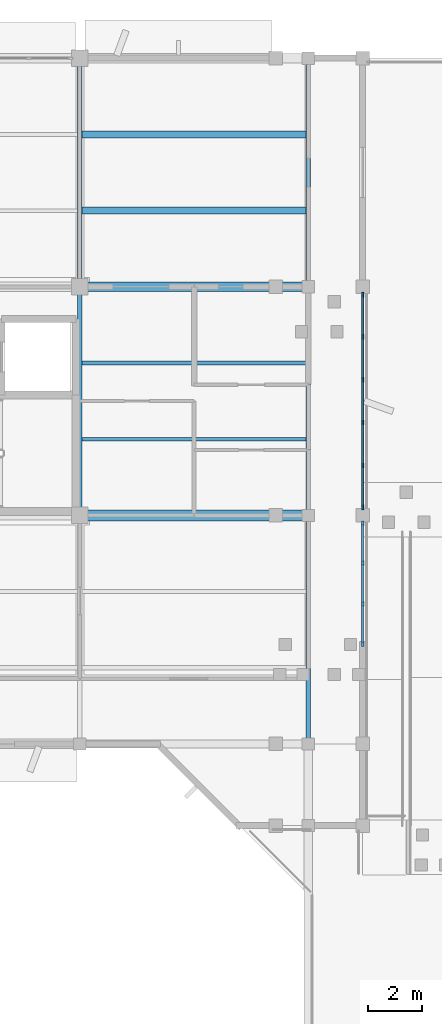
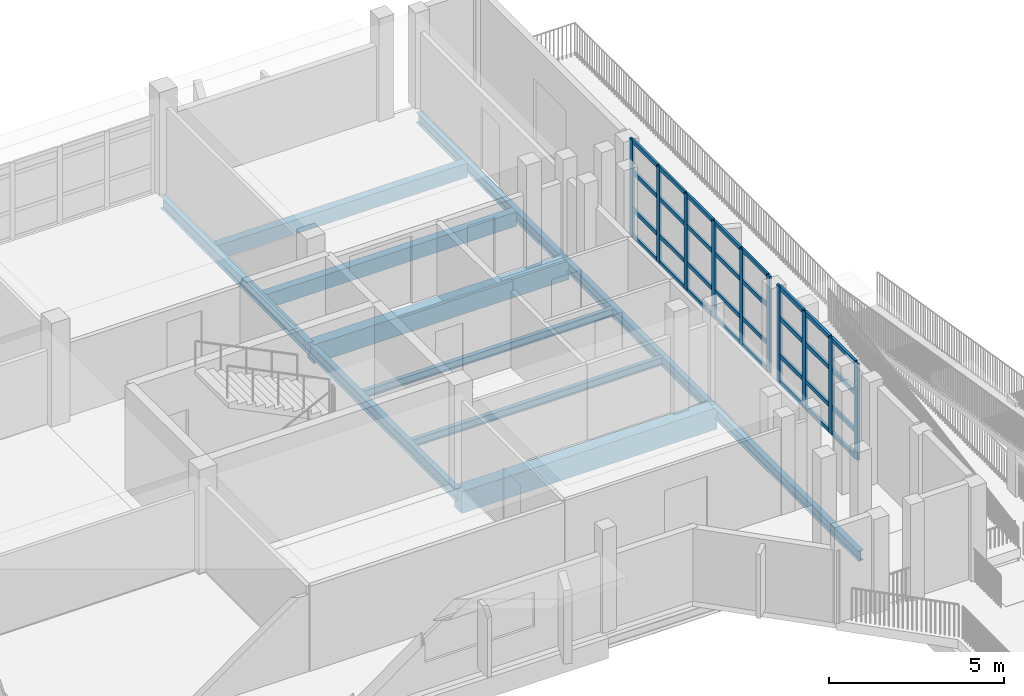
# One storey, part 14 of 42: 42 members, 11 beams, 2 elements without a shape of their own.
"""IFC4 building model written with IfcOpenShell, lengths in metres."""

import ifcopenshell
import ifcopenshell.guid

model = None  # the IFC model being written
_history = None  # IfcOwnerHistory: only IFC2X3 demands one
_inside = {}  # id of a spatial element -> (the spatial element, [elements in it])
_under = {}  # id of a project, library or spatial element -> (it, [spatial elements below it])
_declared = {}  # id of a project -> (the project, [libraries it declares])
_typed = {}  # id of a type object -> (the type object, [elements of that type])
_made_of = {}  # id of a material, layer set ... -> (it, [elements and type objects made of it])


def new_model(schema):
    """Start an empty IFC model of exactly this schema.

    Asked for "IFC4X3", IfcOpenShell would pick the latest addendum, in which some entities
    have other attributes; the version numbers below select the first issue.
    IFC2X3 requires an IfcOwnerHistory on every rooted entity: one is made here for all.
    """
    global model, _history
    if schema == "IFC4X3":
        model = ifcopenshell.file(schema_version=(4, 3, 0, 0))
    else:
        model = ifcopenshell.file(schema=schema)
    _inside.clear()
    _under.clear()
    _declared.clear()
    _typed.clear()
    _made_of.clear()
    _history = None
    if model.schema == "IFC2X3":
        org = make("IfcOrganization", Name="unknown")
        user = make(
            "IfcPersonAndOrganization",
            ThePerson=make("IfcPerson", FamilyName="unknown"),
            TheOrganization=org,
        )
        app = make(
            "IfcApplication",
            ApplicationDeveloper=org,
            Version="unknown",
            ApplicationFullName="unknown",
            ApplicationIdentifier="unknown",
        )
        _history = make(
            "IfcOwnerHistory",
            OwningUser=user,
            OwningApplication=app,
            ChangeAction="ADDED",
            CreationDate=0,
        )
    return model


def make(cls, **values):
    """One entity of the class cls with the attributes given. An attribute that is None is left unset."""
    return model.create_entity(
        cls, **{name: value for name, value in values.items() if value is not None}
    )


def rooted(cls, **values):
    """An entity with a GlobalId (a new one), such as an element, a storey or a relation."""
    return make(cls, GlobalId=ifcopenshell.guid.new(), OwnerHistory=_history, **values)


def si_unit(unit_type, name, prefix=None):
    """IfcSIUnit, for example si_unit("LENGTHUNIT", "METRE", prefix="MILLI")."""
    return make("IfcSIUnit", UnitType=unit_type, Prefix=prefix, Name=name)


def assignment(units):
    """IfcUnitAssignment: the units of a project."""
    return None if units is None else make("IfcUnitAssignment", Units=units)


def point(xyz):
    """IfcCartesianPoint."""
    return None if xyz is None else make("IfcCartesianPoint", Coordinates=xyz)


def direction(xyz):
    """IfcDirection."""
    return None if xyz is None else make("IfcDirection", DirectionRatios=xyz)


def frame(location, z_axis=None, x_axis=None):
    """IfcAxis2Placement3D, a coordinate frame: its origin and axes. An axis left out is left unset."""
    return make(
        "IfcAxis2Placement3D",
        Location=point(location),
        Axis=direction(z_axis),
        RefDirection=direction(x_axis),
    )


def frame_2d(location, x_axis=None):
    """IfcAxis2Placement2D, a coordinate frame in the plane: its origin and x axis."""
    return make(
        "IfcAxis2Placement2D", Location=point(location), RefDirection=direction(x_axis)
    )


def origin():
    """The frame at (0, 0, 0) with its axes left unset."""
    return frame((0.0, 0.0, 0.0))


def origin_2d():
    """The frame at (0, 0) in the plane with its x axis left unset."""
    return frame_2d((0.0, 0.0))


def place(relative_to, where):
    """IfcLocalPlacement: puts the frame where relative to a parent placement (None: the world)."""
    return make(
        "IfcLocalPlacement", PlacementRelTo=relative_to, RelativePlacement=where
    )


def context(
    kind, dimensions, precision=None, world=None, true_north=None, identifier=None
):
    """IfcGeometricRepresentationContext, for example the 3D "Model" context."""
    return make(
        "IfcGeometricRepresentationContext",
        ContextIdentifier=identifier,
        ContextType=kind,
        CoordinateSpaceDimension=dimensions,
        Precision=precision,
        WorldCoordinateSystem=world,
        TrueNorth=true_north,
    )


def subcontext(parent, identifier, kind, view, scale=None):
    """IfcGeometricRepresentationSubContext, for example "Body" below "Model"."""
    return make(
        "IfcGeometricRepresentationSubContext",
        ContextIdentifier=identifier,
        ContextType=kind,
        ParentContext=parent,
        TargetScale=scale,
        TargetView=view,
    )


def project(units=None, contexts=None):
    """IfcProject with its units and contexts."""
    return rooted(
        "IfcProject",
        Name="project",
        RepresentationContexts=contexts,
        UnitsInContext=assignment(units),
    )


def spatial(cls, under=None, at=None, **own):
    """A site, building, storey or space (cls), placed at a placement, below another one or the project."""
    s = rooted(cls, ObjectPlacement=at, **own)
    if under is not None:
        _under.setdefault(under.id(), (under, []))[1].append(s)
    return s


def profile(cls, at=None, kind="AREA", **sizes):
    """A parametric profile (cls). Its sizes go by their IFC names, for example OverallWidth=200.0."""
    return make(cls, ProfileType=kind, Position=at, **sizes)


def rectangle(**sizes):
    """IfcRectangleProfileDef."""
    return profile("IfcRectangleProfileDef", **sizes)


def i_section(**sizes):
    """IfcIShapeProfileDef."""
    return profile("IfcIShapeProfileDef", **sizes)


def extrude(swept, where, along, depth):
    """IfcExtrudedAreaSolid: the profile swept, set in the frame where, extruded along a direction by depth."""
    return make(
        "IfcExtrudedAreaSolid",
        SweptArea=swept,
        Position=where,
        ExtrudedDirection=direction(along),
        Depth=depth,
    )


def shape(context_of_items, identifier, shape_type, items):
    """IfcShapeRepresentation: the items that make up one representation, for example the "Body"."""
    return make(
        "IfcShapeRepresentation",
        ContextOfItems=context_of_items,
        RepresentationIdentifier=identifier,
        RepresentationType=shape_type,
        Items=items,
    )


def material(Name=None, Category=None):
    """IfcMaterial."""
    return make("IfcMaterial", Name=Name, Category=Category)


def material_profile(
    of_material, cross_section, Name=None, Category=None, Priority=None
):
    """IfcMaterialProfile: a cross section and its material."""
    return make(
        "IfcMaterialProfile",
        Name=Name,
        Material=of_material,
        Profile=cross_section,
        Priority=Priority,
        Category=Category,
    )


def profile_set(profiles, Name=None, composite=None):
    """IfcMaterialProfileSet."""
    return make(
        "IfcMaterialProfileSet",
        Name=Name,
        MaterialProfiles=profiles,
        CompositeProfile=composite,
    )


def made_of(thing, what):
    """Note that an element or type object is made of a material, layer set ...; save() writes the relation."""
    if what is not None:
        _made_of.setdefault(what.id(), (what, []))[1].append(thing)
    return thing


def type_object(cls, material=None, **own):
    """A type object (cls), such as IfcWallType, which elements share."""
    return made_of(rooted(cls, **own), material)


def element(
    cls,
    number,
    at=None,
    inside=None,
    cuts=None,
    type_object=None,
    material=None,
    context=None,
    identifier="Body",
    shape_type=None,
    held_by="IfcProductDefinitionShape",
    body=None,
    shapes=None,
    **own,
):
    """One element of the class cls, such as IfcWall. Its Tag is "e" and its number.

    at: its placement. inside: the storey or other place that contains it. cuts: it is an
    opening in that element (IfcRelVoidsElement). A single representation is given by context,
    identifier, shape_type and body (its items); several are given by shapes. held_by: the class
    of the entity that holds the representations. save() writes the other relations.
    """
    e = rooted(cls, Tag="e%d" % number, ObjectPlacement=at, **own)
    if body is not None:
        shapes = [shape(context, identifier, shape_type, body)]
    if shapes is not None:
        e.Representation = make(held_by, Representations=shapes)
    if inside is not None:
        _inside.setdefault(inside.id(), (inside, []))[1].append(e)
    if cuts is not None:
        rooted(
            "IfcRelVoidsElement", RelatingBuildingElement=cuts, RelatedOpeningElement=e
        )
    if type_object is not None:
        _typed.setdefault(type_object.id(), (type_object, []))[1].append(e)
    return made_of(e, material)


def aggregate(whole, parts):
    """IfcRelAggregates: a whole, such as a stair, and the parts it consists of."""
    return rooted("IfcRelAggregates", RelatingObject=whole, RelatedObjects=parts)


def save(model, path):
    """Write the relations noted so far, then the file.

    IfcRelAggregates (storeys below a building ...), IfcRelContainedInSpatialStructure (elements
    in a storey), IfcRelDefinesByType, IfcRelAssociatesMaterial and IfcRelDeclares: one each for
    every whole, place, type object, material and project.
    """
    for whole, parts in _under.values():
        aggregate(whole, parts)
    for where, things in _inside.values():
        rooted(
            "IfcRelContainedInSpatialStructure",
            RelatedElements=things,
            RelatingStructure=where,
        )
    for kind, things in _typed.values():
        rooted("IfcRelDefinesByType", RelatedObjects=things, RelatingType=kind)
    for what, things in _made_of.values():
        rooted("IfcRelAssociatesMaterial", RelatedObjects=things, RelatingMaterial=what)
    for by, libraries in _declared.values():
        rooted("IfcRelDeclares", RelatingContext=by, RelatedDefinitions=libraries)
    model.write(path)


model = new_model("IFC4")

# Units and contexts
model_context = context("Model", 3, precision=1e-05, world=origin(), true_north=direction((0.0, 1.0)))
body_context = subcontext(model_context, "Body", "Model", "MODEL_VIEW")
ifc_project = project(units=[si_unit("LENGTHUNIT", "METRE"), si_unit("AREAUNIT", "SQUARE_METRE"), si_unit("VOLUMEUNIT", "CUBIC_METRE"), si_unit("PLANEANGLEUNIT", "RADIAN"), si_unit("MASSUNIT", "GRAM", prefix="KILO")], contexts=[model_context])

# Site, building, storey
site_placement = place(None, origin())
site = spatial("IfcSite", under=ifc_project, at=site_placement, CompositionType="ELEMENT")
building_placement = place(site_placement, origin())
building = spatial("IfcBuilding", under=site, at=building_placement, Name="Vanh Quang Courtyard School", CompositionType="ELEMENT")
storey_placement = place(building_placement, frame((0.0, 0.0, 15.0)))
storey = spatial("IfcBuildingStorey", under=building, at=storey_placement, Name="L04", CompositionType="ELEMENT", Elevation=15.0)

# Beams
ifc_material_1 = material(Name="Concrete C35/45", Category="concrete")
ifc_material_profile_1 = material_profile(ifc_material_1, rectangle(XDim=0.35009765625, YDim=0.64990234375, at=origin_2d()), Name="RC-BM 350x650")
ifc_profile_set_1 = profile_set([ifc_material_profile_1], Name="Concrete C35/45")
beam_type_1 = type_object("IfcBeamType", Name="BM-RC-350x650", PredefinedType="BEAM", material=ifc_profile_set_1)
beam_1_placement = place(storey_placement, frame((102.60009765625, 88.199951171875, -0.5849609375), z_axis=(1.0, 0.0, 0.0), x_axis=(0.0, 1.0, 0.0)))
element("IfcBeam", 1, at=beam_1_placement, inside=storey, type_object=beam_type_1, Name="Beam B-05 (L04)", PredefinedType="BEAM", context=body_context, shape_type="SweptSolid", body=[
    extrude(rectangle(XDim=0.35009765625, YDim=0.64990234375, at=origin_2d()), origin(), (0.0, 0.0, 1.0), 8.39990234375),
])
ifc_material_profile_2 = material_profile(ifc_material_1, rectangle(XDim=0.39990234375, YDim=0.75, at=origin_2d()), Name="RC-BM 400x750")
ifc_profile_set_2 = profile_set([ifc_material_profile_2], Name="Concrete C35/45")
beam_type_2 = type_object("IfcBeamType", Name="BM-RC-400x750", PredefinedType="BEAM", material=ifc_profile_set_2)
beam_2_placement = place(storey_placement, frame((102.60009765625, 79.800048828125, -0.635009765625), z_axis=(1.0, 0.0, 0.0), x_axis=(0.0, 1.0, 0.0)))
element("IfcBeam", 2, at=beam_2_placement, inside=storey, type_object=beam_type_2, Name="Beam B-03 (L04)", PredefinedType="BEAM", context=body_context, shape_type="SweptSolid", body=[
    extrude(rectangle(XDim=0.39990234375, YDim=0.75, at=origin_2d()), origin(), (0.0, 0.0, 1.0), 8.39990234375),
])
ifc_material_2 = material(Name="Structural steel EN 10025-2 S355J2", Category="steel")
ifc_material_profile_3 = material_profile(ifc_material_2, i_section(OverallWidth=0.169921875, OverallDepth=0.360107421875, WebThickness=0.008056640625, FlangeThickness=0.0126953125, FilletRadius=0.01806640625, at=origin_2d()), Name="IPE 360")
ifc_profile_set_3 = profile_set([ifc_material_profile_3], Name="Structural steel EN 10025-2 S355J2")
beam_type_3 = type_object("IfcBeamType", Name="BM-STL-IPE360", PredefinedType="BEAM", material=ifc_profile_set_3)
beam_3_placement = place(storey_placement, frame((111.0, 71.39990234375, -0.43994140625), z_axis=(0.0, 1.0, 0.0), x_axis=(-1.0, 0.0, 0.0)))
element("IfcBeam", 3, at=beam_3_placement, inside=storey, type_object=beam_type_3, Name="Beam SB-06 (L04)", PredefinedType="BEAM", context=body_context, shape_type="SweptSolid", body=[
    extrude(i_section(OverallWidth=0.169921875, OverallDepth=0.360107421875, WebThickness=0.008056640625, FlangeThickness=0.0126953125, FilletRadius=0.01806640625, at=origin_2d()), origin(), (0.0, 0.0, 1.0), 8.400146484375),
])
beam_4_placement = place(storey_placement, frame((111.0, 79.800048828125, -0.43994140625), z_axis=(0.0, 1.0, 0.0), x_axis=(-1.0, 0.0, 0.0)))
element("IfcBeam", 4, at=beam_4_placement, inside=storey, type_object=beam_type_3, Name="Beam SB-06 (L04)", PredefinedType="BEAM", context=body_context, shape_type="SweptSolid", body=[
    extrude(i_section(OverallWidth=0.169921875, OverallDepth=0.360107421875, WebThickness=0.008056640625, FlangeThickness=0.0126953125, FilletRadius=0.01806640625, at=origin_2d()), origin(), (0.0, 0.0, 1.0), 8.39990234375),
])
beam_5_placement = place(storey_placement, frame((111.0, 88.199951171875, -0.43994140625), z_axis=(0.0, 1.0, 0.0), x_axis=(-1.0, 0.0, 0.0)))
element("IfcBeam", 5, at=beam_5_placement, inside=storey, type_object=beam_type_3, Name="Beam SB-06 (L04)", PredefinedType="BEAM", context=body_context, shape_type="SweptSolid", body=[
    extrude(i_section(OverallWidth=0.169921875, OverallDepth=0.360107421875, WebThickness=0.008056640625, FlangeThickness=0.0126953125, FilletRadius=0.01806640625, at=origin_2d()), origin(), (0.0, 0.0, 1.0), 8.400146484375),
])
ifc_material_profile_4 = material_profile(ifc_material_2, i_section(OverallWidth=0.179931640625, OverallDepth=0.39990234375, WebThickness=0.008544921875, FlangeThickness=0.013427734375, FilletRadius=0.02099609375, at=origin_2d()), Name="IPE 400")
ifc_profile_set_4 = profile_set([ifc_material_profile_4], Name="Structural steel EN 10025-2 S355J2")
beam_type_4 = type_object("IfcBeamType", Name="BM-STL-IPE400", PredefinedType="BEAM", material=ifc_profile_set_4)
beam_6_placement = place(storey_placement, frame((102.60009765625, 79.800048828125, -0.4599609375), z_axis=(0.0, 1.0, 0.0), x_axis=(-1.0, 0.0, 0.0)))
element("IfcBeam", 6, at=beam_6_placement, inside=storey, type_object=beam_type_4, Name="Beam SB-05 (L04)", PredefinedType="BEAM", context=body_context, shape_type="SweptSolid", body=[
    extrude(i_section(OverallWidth=0.179931640625, OverallDepth=0.39990234375, WebThickness=0.008544921875, FlangeThickness=0.013427734375, FilletRadius=0.02099609375, at=origin_2d()), origin(), (0.0, 0.0, 1.0), 8.39990234375),
])
beam_7_placement = place(storey_placement, frame((102.60009765625, 88.199951171875, -0.4599609375), z_axis=(0.0, 1.0, 0.0), x_axis=(-1.0, 0.0, 0.0)))
element("IfcBeam", 7, at=beam_7_placement, inside=storey, type_object=beam_type_4, Name="Beam SB-05 (L04)", PredefinedType="BEAM", context=body_context, shape_type="SweptSolid", body=[
    extrude(i_section(OverallWidth=0.179931640625, OverallDepth=0.39990234375, WebThickness=0.008544921875, FlangeThickness=0.013427734375, FilletRadius=0.02099609375, at=origin_2d()), origin(), (0.0, 0.0, 1.0), 8.400146484375),
])

# Curtain wall, members
ifc_material_3 = material(Name="Thermally broken aluminium unitised curtain wall", Category="aluminium")
curtain_wall_type_1 = type_object("IfcCurtainWallType", Name="CW-SYS-64", PredefinedType="NOTDEFINED", material=ifc_material_3)
curtain_wall_1_placement = place(storey_placement, origin())
curtain_wall_1 = element("IfcCurtainWall", 8, at=curtain_wall_1_placement, inside=storey, type_object=curtain_wall_type_1, Name="Curtain Wall CW-64 (L04)", PredefinedType="NOTDEFINED")
ifc_material_4 = material(Name="Anodised aluminium 6063-T6", Category="aluminium")
ifc_material_profile_5 = material_profile(ifc_material_4, rectangle(XDim=0.070068359375, YDim=0.179931640625, at=origin_2d()), Name="ALU-MUL 70x180")
ifc_profile_set_5 = profile_set([ifc_material_profile_5], Name="Anodised aluminium 6063-T6")
member_type_1 = type_object("IfcMemberType", Name="CW-MUL-70x180", PredefinedType="MULLION", material=ifc_profile_set_5)
member_1_placement = place(storey_placement, frame((113.0, 87.906982421875, 0.0), z_axis=(0.0, 0.0, 1.0), x_axis=(1.0, 0.0, 0.0)))
member_1 = element("IfcMember", 9, at=member_1_placement, type_object=member_type_1, Name="CW-64 mullion 1", PredefinedType="MULLION", context=body_context, shape_type="SweptSolid", body=[
    extrude(rectangle(XDim=0.070068359375, YDim=0.179931640625, at=origin_2d()), origin(), (0.0, 0.0, 1.0), 3.35009765625),
])
member_2_placement = place(storey_placement, frame((113.0, 86.365234375, 0.0), z_axis=(0.0, 0.0, 1.0), x_axis=(1.0, 0.0, 0.0)))
member_2 = element("IfcMember", 10, at=member_2_placement, type_object=member_type_1, Name="CW-64 mullion 2", PredefinedType="MULLION", context=body_context, shape_type="SweptSolid", body=[
    extrude(rectangle(XDim=0.070068359375, YDim=0.179931640625, at=origin_2d()), origin(), (0.0, 0.0, 1.0), 3.35009765625),
])
member_3_placement = place(storey_placement, frame((113.0, 84.788330078125, 0.0), z_axis=(0.0, 0.0, 1.0), x_axis=(1.0, 0.0, 0.0)))
member_3 = element("IfcMember", 11, at=member_3_placement, type_object=member_type_1, Name="CW-64 mullion 3", PredefinedType="MULLION", context=body_context, shape_type="SweptSolid", body=[
    extrude(rectangle(XDim=0.070068359375, YDim=0.179931640625, at=origin_2d()), origin(), (0.0, 0.0, 1.0), 3.35009765625),
])
member_4_placement = place(storey_placement, frame((113.0, 83.211669921875, 0.0), z_axis=(0.0, 0.0, 1.0), x_axis=(1.0, 0.0, 0.0)))
member_4 = element("IfcMember", 12, at=member_4_placement, type_object=member_type_1, Name="CW-64 mullion 4", PredefinedType="MULLION", context=body_context, shape_type="SweptSolid", body=[
    extrude(rectangle(XDim=0.070068359375, YDim=0.179931640625, at=origin_2d()), origin(), (0.0, 0.0, 1.0), 3.35009765625),
])
member_5_placement = place(storey_placement, frame((113.0, 81.634765625, 0.0), z_axis=(0.0, 0.0, 1.0), x_axis=(1.0, 0.0, 0.0)))
member_5 = element("IfcMember", 13, at=member_5_placement, type_object=member_type_1, Name="CW-64 mullion 5", PredefinedType="MULLION", context=body_context, shape_type="SweptSolid", body=[
    extrude(rectangle(XDim=0.070068359375, YDim=0.179931640625, at=origin_2d()), origin(), (0.0, 0.0, 1.0), 3.35009765625),
])
member_6_placement = place(storey_placement, frame((113.0, 80.093017578125, 0.0), z_axis=(0.0, 0.0, 1.0), x_axis=(1.0, 0.0, 0.0)))
member_6 = element("IfcMember", 14, at=member_6_placement, type_object=member_type_1, Name="CW-64 mullion 6", PredefinedType="MULLION", context=body_context, shape_type="SweptSolid", body=[
    extrude(rectangle(XDim=0.070068359375, YDim=0.179931640625, at=origin_2d()), origin(), (0.0, 0.0, 1.0), 3.35009765625),
])

curtain_wall_type_2 = type_object("IfcCurtainWallType", Name="CW-SYS-65", PredefinedType="NOTDEFINED", material=ifc_material_3)
curtain_wall_2_placement = place(storey_placement, origin())
curtain_wall_2 = element("IfcCurtainWall", 15, at=curtain_wall_2_placement, inside=storey, type_object=curtain_wall_type_2, Name="Curtain Wall CW-65 (L04)", PredefinedType="NOTDEFINED")
ifc_material_profile_6 = material_profile(ifc_material_4, rectangle(XDim=0.080078125, YDim=0.199951171875, at=origin_2d()), Name="ALU-MUL 80x200")
ifc_profile_set_6 = profile_set([ifc_material_profile_6], Name="Anodised aluminium 6063-T6")
member_type_2 = type_object("IfcMemberType", Name="CW-MUL-80x200", PredefinedType="MULLION", material=ifc_profile_set_6)
member_7_placement = place(storey_placement, frame((113.0, 79.501953125, 0.0), z_axis=(0.0, 0.0, 1.0), x_axis=(1.0, 0.0, 0.0)))
member_7 = element("IfcMember", 16, at=member_7_placement, type_object=member_type_2, Name="CW-65 mullion 1", PredefinedType="MULLION", context=body_context, shape_type="SweptSolid", body=[
    extrude(rectangle(XDim=0.080078125, YDim=0.199951171875, at=origin_2d()), origin(), (0.0, 0.0, 1.0), 3.35009765625),
])
member_8_placement = place(storey_placement, frame((113.0, 78.044677734375, 0.0), z_axis=(0.0, 0.0, 1.0), x_axis=(1.0, 0.0, 0.0)))
member_8 = element("IfcMember", 17, at=member_8_placement, type_object=member_type_2, Name="CW-65 mullion 2", PredefinedType="MULLION", context=body_context, shape_type="SweptSolid", body=[
    extrude(rectangle(XDim=0.080078125, YDim=0.199951171875, at=origin_2d()), origin(), (0.0, 0.0, 1.0), 3.35009765625),
])
member_9_placement = place(storey_placement, frame((113.0, 76.54736328125, 0.0), z_axis=(0.0, 0.0, 1.0), x_axis=(1.0, 0.0, 0.0)))
member_9 = element("IfcMember", 18, at=member_9_placement, type_object=member_type_2, Name="CW-65 mullion 3", PredefinedType="MULLION", context=body_context, shape_type="SweptSolid", body=[
    extrude(rectangle(XDim=0.080078125, YDim=0.199951171875, at=origin_2d()), origin(), (0.0, 0.0, 1.0), 3.35009765625),
])
member_10_placement = place(storey_placement, frame((113.0, 75.090087890625, 0.0), z_axis=(0.0, 0.0, 1.0), x_axis=(1.0, 0.0, 0.0)))
member_10 = element("IfcMember", 19, at=member_10_placement, type_object=member_type_2, Name="CW-65 mullion 4", PredefinedType="MULLION", context=body_context, shape_type="SweptSolid", body=[
    extrude(rectangle(XDim=0.080078125, YDim=0.199951171875, at=origin_2d()), origin(), (0.0, 0.0, 1.0), 3.35009765625),
])

# Member
ifc_material_profile_7 = material_profile(ifc_material_4, rectangle(XDim=0.070068359375, YDim=0.139892578125, at=origin_2d()), Name="ALU-TRN 70x140")
ifc_profile_set_7 = profile_set([ifc_material_profile_7], Name="Anodised aluminium 6063-T6")
member_type_3 = type_object("IfcMemberType", Name="CW-TRN-70x140", PredefinedType="USERDEFINED", material=ifc_profile_set_7)
member_11_placement = place(storey_placement, frame((113.0, 87.8720703125, 0.034912109375), z_axis=(0.0, -1.0, 0.0), x_axis=(1.0, 0.0, 0.0)))
member_11 = element("IfcMember", 20, at=member_11_placement, type_object=member_type_3, Name="CW-64 transom 1.1", ObjectType="TRANSOM", PredefinedType="USERDEFINED", context=body_context, shape_type="SweptSolid", body=[
    extrude(rectangle(XDim=0.070068359375, YDim=0.139892578125, at=origin_2d()), origin(), (0.0, 0.0, 1.0), 1.471923828125),
])

member_12_placement = place(storey_placement, frame((113.0, 87.8720703125, 0.949951171875), z_axis=(0.0, -1.0, 0.0), x_axis=(1.0, 0.0, 0.0)))
member_12 = element("IfcMember", 21, at=member_12_placement, type_object=member_type_3, Name="CW-64 transom 1.2", ObjectType="TRANSOM", PredefinedType="USERDEFINED", context=body_context, shape_type="SweptSolid", body=[
    extrude(rectangle(XDim=0.070068359375, YDim=0.139892578125, at=origin_2d()), origin(), (0.0, 0.0, 1.0), 1.471923828125),
])

member_13_placement = place(storey_placement, frame((113.0, 87.8720703125, 2.25), z_axis=(0.0, -1.0, 0.0), x_axis=(1.0, 0.0, 0.0)))
member_13 = element("IfcMember", 22, at=member_13_placement, type_object=member_type_3, Name="CW-64 transom 1.3", ObjectType="TRANSOM", PredefinedType="USERDEFINED", context=body_context, shape_type="SweptSolid", body=[
    extrude(rectangle(XDim=0.070068359375, YDim=0.139892578125, at=origin_2d()), origin(), (0.0, 0.0, 1.0), 1.471923828125),
])

member_14_placement = place(storey_placement, frame((113.0, 87.8720703125, 3.31494140625), z_axis=(0.0, -1.0, 0.0), x_axis=(1.0, 0.0, 0.0)))
member_14 = element("IfcMember", 23, at=member_14_placement, type_object=member_type_3, Name="CW-64 transom 1.4", ObjectType="TRANSOM", PredefinedType="USERDEFINED", context=body_context, shape_type="SweptSolid", body=[
    extrude(rectangle(XDim=0.070068359375, YDim=0.139892578125, at=origin_2d()), origin(), (0.0, 0.0, 1.0), 1.471923828125),
])

member_15_placement = place(storey_placement, frame((113.0, 86.330078125, 0.034912109375), z_axis=(0.0, -1.0, 0.0), x_axis=(1.0, 0.0, 0.0)))
member_15 = element("IfcMember", 24, at=member_15_placement, type_object=member_type_3, Name="CW-64 transom 2.1", ObjectType="TRANSOM", PredefinedType="USERDEFINED", context=body_context, shape_type="SweptSolid", body=[
    extrude(rectangle(XDim=0.070068359375, YDim=0.139892578125, at=origin_2d()), origin(), (0.0, 0.0, 1.0), 1.506591796875),
])

member_16_placement = place(storey_placement, frame((113.0, 86.330078125, 0.949951171875), z_axis=(0.0, -1.0, 0.0), x_axis=(1.0, 0.0, 0.0)))
member_16 = element("IfcMember", 25, at=member_16_placement, type_object=member_type_3, Name="CW-64 transom 2.2", ObjectType="TRANSOM", PredefinedType="USERDEFINED", context=body_context, shape_type="SweptSolid", body=[
    extrude(rectangle(XDim=0.070068359375, YDim=0.139892578125, at=origin_2d()), origin(), (0.0, 0.0, 1.0), 1.506591796875),
])

member_17_placement = place(storey_placement, frame((113.0, 86.330078125, 2.25), z_axis=(0.0, -1.0, 0.0), x_axis=(1.0, 0.0, 0.0)))
member_17 = element("IfcMember", 26, at=member_17_placement, type_object=member_type_3, Name="CW-64 transom 2.3", ObjectType="TRANSOM", PredefinedType="USERDEFINED", context=body_context, shape_type="SweptSolid", body=[
    extrude(rectangle(XDim=0.070068359375, YDim=0.139892578125, at=origin_2d()), origin(), (0.0, 0.0, 1.0), 1.506591796875),
])

member_18_placement = place(storey_placement, frame((113.0, 86.330078125, 3.31494140625), z_axis=(0.0, -1.0, 0.0), x_axis=(1.0, 0.0, 0.0)))
member_18 = element("IfcMember", 27, at=member_18_placement, type_object=member_type_3, Name="CW-64 transom 2.4", ObjectType="TRANSOM", PredefinedType="USERDEFINED", context=body_context, shape_type="SweptSolid", body=[
    extrude(rectangle(XDim=0.070068359375, YDim=0.139892578125, at=origin_2d()), origin(), (0.0, 0.0, 1.0), 1.506591796875),
])

member_19_placement = place(storey_placement, frame((113.0, 84.75341796875, 0.034912109375), z_axis=(0.0, -1.0, 0.0), x_axis=(1.0, 0.0, 0.0)))
member_19 = element("IfcMember", 28, at=member_19_placement, type_object=member_type_3, Name="CW-64 transom 3.1", ObjectType="TRANSOM", PredefinedType="USERDEFINED", context=body_context, shape_type="SweptSolid", body=[
    extrude(rectangle(XDim=0.070068359375, YDim=0.139892578125, at=origin_2d()), origin(), (0.0, 0.0, 1.0), 1.5068359375),
])

member_20_placement = place(storey_placement, frame((113.0, 84.75341796875, 0.949951171875), z_axis=(0.0, -1.0, 0.0), x_axis=(1.0, 0.0, 0.0)))
member_20 = element("IfcMember", 29, at=member_20_placement, type_object=member_type_3, Name="CW-64 transom 3.2", ObjectType="TRANSOM", PredefinedType="USERDEFINED", context=body_context, shape_type="SweptSolid", body=[
    extrude(rectangle(XDim=0.070068359375, YDim=0.139892578125, at=origin_2d()), origin(), (0.0, 0.0, 1.0), 1.5068359375),
])

member_21_placement = place(storey_placement, frame((113.0, 84.75341796875, 2.25), z_axis=(0.0, -1.0, 0.0), x_axis=(1.0, 0.0, 0.0)))
member_21 = element("IfcMember", 30, at=member_21_placement, type_object=member_type_3, Name="CW-64 transom 3.3", ObjectType="TRANSOM", PredefinedType="USERDEFINED", context=body_context, shape_type="SweptSolid", body=[
    extrude(rectangle(XDim=0.070068359375, YDim=0.139892578125, at=origin_2d()), origin(), (0.0, 0.0, 1.0), 1.5068359375),
])

member_22_placement = place(storey_placement, frame((113.0, 84.75341796875, 3.31494140625), z_axis=(0.0, -1.0, 0.0), x_axis=(1.0, 0.0, 0.0)))
member_22 = element("IfcMember", 31, at=member_22_placement, type_object=member_type_3, Name="CW-64 transom 3.4", ObjectType="TRANSOM", PredefinedType="USERDEFINED", context=body_context, shape_type="SweptSolid", body=[
    extrude(rectangle(XDim=0.070068359375, YDim=0.139892578125, at=origin_2d()), origin(), (0.0, 0.0, 1.0), 1.5068359375),
])

member_23_placement = place(storey_placement, frame((113.0, 83.176513671875, 0.034912109375), z_axis=(0.0, -1.0, 0.0), x_axis=(1.0, 0.0, 0.0)))
member_23 = element("IfcMember", 32, at=member_23_placement, type_object=member_type_3, Name="CW-64 transom 4.1", ObjectType="TRANSOM", PredefinedType="USERDEFINED", context=body_context, shape_type="SweptSolid", body=[
    extrude(rectangle(XDim=0.070068359375, YDim=0.139892578125, at=origin_2d()), origin(), (0.0, 0.0, 1.0), 1.506591796875),
])

member_24_placement = place(storey_placement, frame((113.0, 83.176513671875, 0.949951171875), z_axis=(0.0, -1.0, 0.0), x_axis=(1.0, 0.0, 0.0)))
member_24 = element("IfcMember", 33, at=member_24_placement, type_object=member_type_3, Name="CW-64 transom 4.2", ObjectType="TRANSOM", PredefinedType="USERDEFINED", context=body_context, shape_type="SweptSolid", body=[
    extrude(rectangle(XDim=0.070068359375, YDim=0.139892578125, at=origin_2d()), origin(), (0.0, 0.0, 1.0), 1.506591796875),
])

member_25_placement = place(storey_placement, frame((113.0, 83.176513671875, 2.25), z_axis=(0.0, -1.0, 0.0), x_axis=(1.0, 0.0, 0.0)))
member_25 = element("IfcMember", 34, at=member_25_placement, type_object=member_type_3, Name="CW-64 transom 4.3", ObjectType="TRANSOM", PredefinedType="USERDEFINED", context=body_context, shape_type="SweptSolid", body=[
    extrude(rectangle(XDim=0.070068359375, YDim=0.139892578125, at=origin_2d()), origin(), (0.0, 0.0, 1.0), 1.506591796875),
])

member_26_placement = place(storey_placement, frame((113.0, 83.176513671875, 3.31494140625), z_axis=(0.0, -1.0, 0.0), x_axis=(1.0, 0.0, 0.0)))
member_26 = element("IfcMember", 35, at=member_26_placement, type_object=member_type_3, Name="CW-64 transom 4.4", ObjectType="TRANSOM", PredefinedType="USERDEFINED", context=body_context, shape_type="SweptSolid", body=[
    extrude(rectangle(XDim=0.070068359375, YDim=0.139892578125, at=origin_2d()), origin(), (0.0, 0.0, 1.0), 1.506591796875),
])

member_27_placement = place(storey_placement, frame((113.0, 81.599853515625, 0.034912109375), z_axis=(0.0, -1.0, 0.0), x_axis=(1.0, 0.0, 0.0)))
member_27 = element("IfcMember", 36, at=member_27_placement, type_object=member_type_3, Name="CW-64 transom 5.1", ObjectType="TRANSOM", PredefinedType="USERDEFINED", context=body_context, shape_type="SweptSolid", body=[
    extrude(rectangle(XDim=0.070068359375, YDim=0.139892578125, at=origin_2d()), origin(), (0.0, 0.0, 1.0), 1.471923828125),
])

member_28_placement = place(storey_placement, frame((113.0, 81.599853515625, 0.949951171875), z_axis=(0.0, -1.0, 0.0), x_axis=(1.0, 0.0, 0.0)))
member_28 = element("IfcMember", 37, at=member_28_placement, type_object=member_type_3, Name="CW-64 transom 5.2", ObjectType="TRANSOM", PredefinedType="USERDEFINED", context=body_context, shape_type="SweptSolid", body=[
    extrude(rectangle(XDim=0.070068359375, YDim=0.139892578125, at=origin_2d()), origin(), (0.0, 0.0, 1.0), 1.471923828125),
])

member_29_placement = place(storey_placement, frame((113.0, 81.599853515625, 2.25), z_axis=(0.0, -1.0, 0.0), x_axis=(1.0, 0.0, 0.0)))
member_29 = element("IfcMember", 38, at=member_29_placement, type_object=member_type_3, Name="CW-64 transom 5.3", ObjectType="TRANSOM", PredefinedType="USERDEFINED", context=body_context, shape_type="SweptSolid", body=[
    extrude(rectangle(XDim=0.070068359375, YDim=0.139892578125, at=origin_2d()), origin(), (0.0, 0.0, 1.0), 1.471923828125),
])

member_30_placement = place(storey_placement, frame((113.0, 81.599853515625, 3.31494140625), z_axis=(0.0, -1.0, 0.0), x_axis=(1.0, 0.0, 0.0)))
member_30 = element("IfcMember", 39, at=member_30_placement, type_object=member_type_3, Name="CW-64 transom 5.4", ObjectType="TRANSOM", PredefinedType="USERDEFINED", context=body_context, shape_type="SweptSolid", body=[
    extrude(rectangle(XDim=0.070068359375, YDim=0.139892578125, at=origin_2d()), origin(), (0.0, 0.0, 1.0), 1.471923828125),
])

aggregate(curtain_wall_1, [member_1, member_2, member_3, member_4, member_5, member_6, member_11, member_12, member_13, member_14, member_15, member_16, member_17, member_18, member_19, member_20, member_21, member_22, member_23, member_24, member_25, member_26, member_27, member_28, member_29, member_30])

ifc_material_profile_8 = material_profile(ifc_material_4, rectangle(XDim=0.080078125, YDim=0.14990234375, at=origin_2d()), Name="ALU-TRN 80x150")
ifc_profile_set_8 = profile_set([ifc_material_profile_8], Name="Anodised aluminium 6063-T6")
member_type_4 = type_object("IfcMemberType", Name="CW-TRN-80x150", PredefinedType="USERDEFINED", material=ifc_profile_set_8)
member_31_placement = place(storey_placement, frame((113.0, 79.4619140625, 0.0400390625), z_axis=(0.0, -1.0, 0.0), x_axis=(1.0, 0.0, 0.0)))
member_31 = element("IfcMember", 40, at=member_31_placement, type_object=member_type_4, Name="CW-65 transom 1.1", ObjectType="TRANSOM", PredefinedType="USERDEFINED", context=body_context, shape_type="SweptSolid", body=[
    extrude(rectangle(XDim=0.080078125, YDim=0.14990234375, at=origin_2d()), origin(), (0.0, 0.0, 1.0), 1.377197265625),
])

member_32_placement = place(storey_placement, frame((113.0, 79.4619140625, 0.949951171875), z_axis=(0.0, -1.0, 0.0), x_axis=(1.0, 0.0, 0.0)))
member_32 = element("IfcMember", 41, at=member_32_placement, type_object=member_type_4, Name="CW-65 transom 1.2", ObjectType="TRANSOM", PredefinedType="USERDEFINED", context=body_context, shape_type="SweptSolid", body=[
    extrude(rectangle(XDim=0.080078125, YDim=0.14990234375, at=origin_2d()), origin(), (0.0, 0.0, 1.0), 1.377197265625),
])

member_33_placement = place(storey_placement, frame((113.0, 79.4619140625, 2.25), z_axis=(0.0, -1.0, 0.0), x_axis=(1.0, 0.0, 0.0)))
member_33 = element("IfcMember", 42, at=member_33_placement, type_object=member_type_4, Name="CW-65 transom 1.3", ObjectType="TRANSOM", PredefinedType="USERDEFINED", context=body_context, shape_type="SweptSolid", body=[
    extrude(rectangle(XDim=0.080078125, YDim=0.14990234375, at=origin_2d()), origin(), (0.0, 0.0, 1.0), 1.377197265625),
])

member_34_placement = place(storey_placement, frame((113.0, 79.4619140625, 3.31005859375), z_axis=(0.0, -1.0, 0.0), x_axis=(1.0, 0.0, 0.0)))
member_34 = element("IfcMember", 43, at=member_34_placement, type_object=member_type_4, Name="CW-65 transom 1.4", ObjectType="TRANSOM", PredefinedType="USERDEFINED", context=body_context, shape_type="SweptSolid", body=[
    extrude(rectangle(XDim=0.080078125, YDim=0.14990234375, at=origin_2d()), origin(), (0.0, 0.0, 1.0), 1.377197265625),
])

member_35_placement = place(storey_placement, frame((113.0, 78.004638671875, 0.0400390625), z_axis=(0.0, -1.0, 0.0), x_axis=(1.0, 0.0, 0.0)))
member_35 = element("IfcMember", 44, at=member_35_placement, type_object=member_type_4, Name="CW-65 transom 2.1", ObjectType="TRANSOM", PredefinedType="USERDEFINED", context=body_context, shape_type="SweptSolid", body=[
    extrude(rectangle(XDim=0.080078125, YDim=0.14990234375, at=origin_2d()), origin(), (0.0, 0.0, 1.0), 1.417236328125),
])

member_36_placement = place(storey_placement, frame((113.0, 78.004638671875, 0.949951171875), z_axis=(0.0, -1.0, 0.0), x_axis=(1.0, 0.0, 0.0)))
member_36 = element("IfcMember", 45, at=member_36_placement, type_object=member_type_4, Name="CW-65 transom 2.2", ObjectType="TRANSOM", PredefinedType="USERDEFINED", context=body_context, shape_type="SweptSolid", body=[
    extrude(rectangle(XDim=0.080078125, YDim=0.14990234375, at=origin_2d()), origin(), (0.0, 0.0, 1.0), 1.417236328125),
])

member_37_placement = place(storey_placement, frame((113.0, 78.004638671875, 2.25), z_axis=(0.0, -1.0, 0.0), x_axis=(1.0, 0.0, 0.0)))
member_37 = element("IfcMember", 46, at=member_37_placement, type_object=member_type_4, Name="CW-65 transom 2.3", ObjectType="TRANSOM", PredefinedType="USERDEFINED", context=body_context, shape_type="SweptSolid", body=[
    extrude(rectangle(XDim=0.080078125, YDim=0.14990234375, at=origin_2d()), origin(), (0.0, 0.0, 1.0), 1.417236328125),
])

member_38_placement = place(storey_placement, frame((113.0, 78.004638671875, 3.31005859375), z_axis=(0.0, -1.0, 0.0), x_axis=(1.0, 0.0, 0.0)))
member_38 = element("IfcMember", 47, at=member_38_placement, type_object=member_type_4, Name="CW-65 transom 2.4", ObjectType="TRANSOM", PredefinedType="USERDEFINED", context=body_context, shape_type="SweptSolid", body=[
    extrude(rectangle(XDim=0.080078125, YDim=0.14990234375, at=origin_2d()), origin(), (0.0, 0.0, 1.0), 1.417236328125),
])

member_39_placement = place(storey_placement, frame((113.0, 76.50732421875, 0.0400390625), z_axis=(0.0, -1.0, 0.0), x_axis=(1.0, 0.0, 0.0)))
member_39 = element("IfcMember", 48, at=member_39_placement, type_object=member_type_4, Name="CW-65 transom 3.1", ObjectType="TRANSOM", PredefinedType="USERDEFINED", context=body_context, shape_type="SweptSolid", body=[
    extrude(rectangle(XDim=0.080078125, YDim=0.14990234375, at=origin_2d()), origin(), (0.0, 0.0, 1.0), 1.37744140625),
])

member_40_placement = place(storey_placement, frame((113.0, 76.50732421875, 0.949951171875), z_axis=(0.0, -1.0, 0.0), x_axis=(1.0, 0.0, 0.0)))
member_40 = element("IfcMember", 49, at=member_40_placement, type_object=member_type_4, Name="CW-65 transom 3.2", ObjectType="TRANSOM", PredefinedType="USERDEFINED", context=body_context, shape_type="SweptSolid", body=[
    extrude(rectangle(XDim=0.080078125, YDim=0.14990234375, at=origin_2d()), origin(), (0.0, 0.0, 1.0), 1.37744140625),
])

member_41_placement = place(storey_placement, frame((113.0, 76.50732421875, 2.25), z_axis=(0.0, -1.0, 0.0), x_axis=(1.0, 0.0, 0.0)))
member_41 = element("IfcMember", 50, at=member_41_placement, type_object=member_type_4, Name="CW-65 transom 3.3", ObjectType="TRANSOM", PredefinedType="USERDEFINED", context=body_context, shape_type="SweptSolid", body=[
    extrude(rectangle(XDim=0.080078125, YDim=0.14990234375, at=origin_2d()), origin(), (0.0, 0.0, 1.0), 1.37744140625),
])

member_42_placement = place(storey_placement, frame((113.0, 76.50732421875, 3.31005859375), z_axis=(0.0, -1.0, 0.0), x_axis=(1.0, 0.0, 0.0)))
member_42 = element("IfcMember", 51, at=member_42_placement, type_object=member_type_4, Name="CW-65 transom 3.4", ObjectType="TRANSOM", PredefinedType="USERDEFINED", context=body_context, shape_type="SweptSolid", body=[
    extrude(rectangle(XDim=0.080078125, YDim=0.14990234375, at=origin_2d()), origin(), (0.0, 0.0, 1.0), 1.37744140625),
])

aggregate(curtain_wall_2, [member_7, member_8, member_9, member_10, member_31, member_32, member_33, member_34, member_35, member_36, member_37, member_38, member_39, member_40, member_41, member_42])

# Beams
ifc_material_5 = material(Name="Concrete C30/37", Category="concrete")
ifc_material_profile_9 = material_profile(ifc_material_5, rectangle(XDim=0.25, YDim=0.5, at=origin_2d()), Name="RC-JST 250x500")
ifc_profile_set_9 = profile_set([ifc_material_profile_9], Name="Concrete C30/37")
beam_type_5 = type_object("IfcBeamType", Name="JST-RC-250x500", PredefinedType="JOIST", material=ifc_profile_set_9)
for number, where, z_axis, x_axis, name in (
    (52, (102.68994140625, 91.0, -0.510009765625), (1.0, 0.0, 0.0), (0.0, 1.0, 0.0), "Beam BJ-01 (L04)"),
    (53, (102.68994140625, 93.800048828125, -0.510009765625), (1.0, 0.0, 0.0), (0.0, 1.0, 0.0), "Beam BJ-01 (L04)"),
):
    element("IfcBeam", number, at=place(storey_placement, frame(where, z_axis=z_axis, x_axis=x_axis)), inside=storey, type_object=beam_type_5, Name=name, PredefinedType="JOIST", context=body_context, shape_type="SweptSolid", body=[
        extrude(rectangle(XDim=0.25, YDim=0.5, at=origin_2d()), origin(), (0.0, 0.0, 1.0), 8.22509765625),
    ])
ifc_material_profile_10 = material_profile(ifc_material_2, i_section(OverallWidth=0.135009765625, OverallDepth=0.27001953125, WebThickness=0.006591796875, FlangeThickness=0.01025390625, FilletRadius=0.014892578125, at=origin_2d()), Name="IPE 270")
ifc_profile_set_10 = profile_set([ifc_material_profile_10], Name="Structural steel EN 10025-2 S355J2")
beam_type_6 = type_object("IfcBeamType", Name="JST-STL-IPE270", PredefinedType="JOIST", material=ifc_profile_set_10)
for number, where, z_axis, x_axis, name in (
    (54, (102.68994140625, 82.60009765625, -0.39501953125), (1.0, 0.0, 0.0), (0.0, 1.0, 0.0), "Beam SJ-03 (L04)"),
    (55, (102.68994140625, 85.39990234375, -0.39501953125), (1.0, 0.0, 0.0), (0.0, 1.0, 0.0), "Beam SJ-03 (L04)"),
):
    element("IfcBeam", number, at=place(storey_placement, frame(where, z_axis=z_axis, x_axis=x_axis)), inside=storey, type_object=beam_type_6, Name=name, PredefinedType="JOIST", context=body_context, shape_type="SweptSolid", body=[
        extrude(i_section(OverallWidth=0.135009765625, OverallDepth=0.27001953125, WebThickness=0.006591796875, FlangeThickness=0.01025390625, FilletRadius=0.014892578125, at=origin_2d()), origin(), (0.0, 0.0, 1.0), 8.22509765625),
    ])

save(model, "model.ifc")
